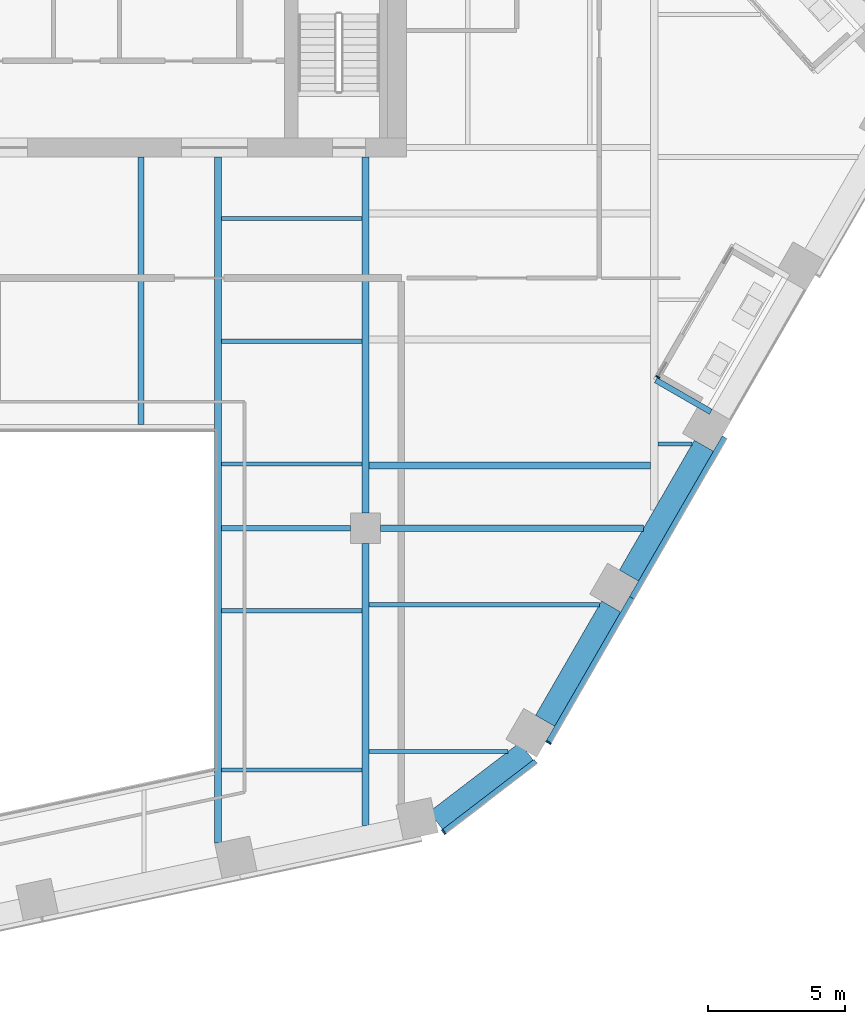
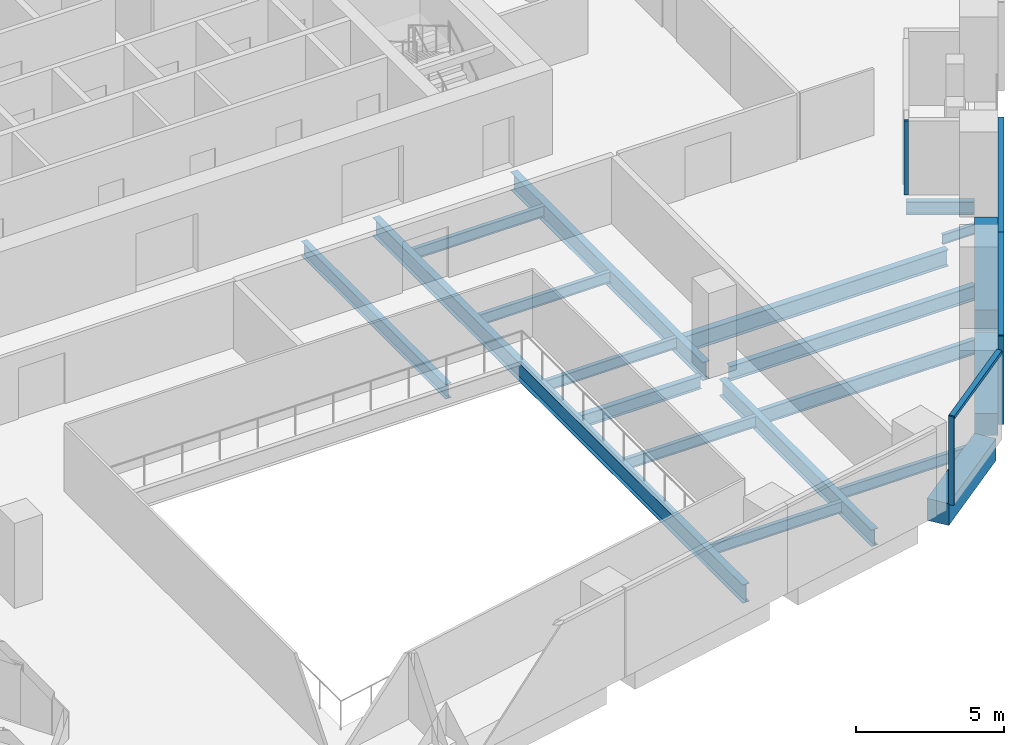
# One storey, part 6 of 26: 19 beams, 6 members, 3 elements without a shape of their own.
"""IFC4 building model written with IfcOpenShell, lengths in metres."""

from ifc_helpers import new_model, si_unit, direction, frame, origin, origin_2d, place, context, subcontext, project, spatial, rectangle, i_section, extrude, material, layer, layer_set, material_profile, profile_set, type_object, element, aggregate, save


model = new_model("IFC4")

# Units and contexts
model_context = context("Model", 3, precision=1e-05, world=origin(), true_north=direction((0.0, 1.0)))
body_context = subcontext(model_context, "Body", "Model", "MODEL_VIEW")
ifc_project = project(units=[si_unit("LENGTHUNIT", "METRE"), si_unit("AREAUNIT", "SQUARE_METRE"), si_unit("VOLUMEUNIT", "CUBIC_METRE"), si_unit("PLANEANGLEUNIT", "RADIAN"), si_unit("MASSUNIT", "GRAM", prefix="KILO")], contexts=[model_context])

# Site, building, storey
site_placement = place(None, origin())
site = spatial("IfcSite", under=ifc_project, at=site_placement, CompositionType="ELEMENT")
building_placement = place(site_placement, origin())
building = spatial("IfcBuilding", under=site, at=building_placement, Name="Isthmus Gate Tower", CompositionType="ELEMENT")
storey_placement = place(building_placement, frame((0.0, 0.0, 189.050048828125)))
storey = spatial("IfcBuildingStorey", under=building, at=storey_placement, Name="L47", CompositionType="ELEMENT", Elevation=189.050048828125)

# Curtain wall, member
ifc_material_1 = material(Name="Aluminium, pale champagne anodised", Category="aluminium")
ifc_layer_1 = layer(ifc_material_1, 0.199951171875)
ifc_layer_set_1 = layer_set([ifc_layer_1], Name="CW-1 UNITISED CURTAIN WALL 200 DEEP")
curtain_wall_type_1 = type_object("IfcCurtainWallType", Name="CW-1 UNITISED CURTAIN WALL 200 DEEP", PredefinedType="NOTDEFINED", material=ifc_layer_set_1)
curtain_wall_1_placement = place(storey_placement, origin())
curtain_wall_1 = element("IfcCurtainWall", 1, at=curtain_wall_1_placement, inside=storey, type_object=curtain_wall_type_1, Name="CW-1 S-SE L47", PredefinedType="NOTDEFINED")
ifc_material_2 = material(Name="Aluminium, pale champagne anodised", Category="aluminium")
ifc_material_profile_1 = material_profile(ifc_material_2, rectangle(XDim=0.06005859375, YDim=0.199951171875, at=origin_2d()), Name="60x200")
ifc_profile_set_1 = profile_set([ifc_material_profile_1], Name="Aluminium, pale champagne anodised")
member_type_1 = type_object("IfcMemberType", Name="CW-1 MULLION 60 X 200", PredefinedType="MULLION", material=ifc_profile_set_1)
member_1_placement = place(storey_placement, frame((16.346435546875, -24.5419921875, 0.0), z_axis=(0.0, 0.0, 1.0), x_axis=(0.794188594387, 0.607671355706, 0.0)))
member_1 = element("IfcMember", 2, at=member_1_placement, type_object=member_type_1, Name="CW-1 mullion", PredefinedType="MULLION", context=body_context, shape_type="SweptSolid", body=[
    extrude(rectangle(XDim=0.06005859375, YDim=0.199951171875, at=origin_2d()), origin(), (0.0, 0.0, 1.0), 3.64990234375),
])

curtain_wall_2_placement = place(storey_placement, origin())
curtain_wall_2 = element("IfcCurtainWall", 3, at=curtain_wall_2_placement, inside=storey, type_object=curtain_wall_type_1, Name="CW-1 SE L47", PredefinedType="NOTDEFINED")
member_2_placement = place(storey_placement, frame((20.156005859375, -21.288818359375, 0.0), z_axis=(0.0, 0.0, 1.0), x_axis=(0.5, 0.866025403784, 0.0)))
member_2 = element("IfcMember", 4, at=member_2_placement, type_object=member_type_1, Name="CW-1 mullion", PredefinedType="MULLION", context=body_context, shape_type="SweptSolid", body=[
    extrude(rectangle(XDim=0.06005859375, YDim=0.199951171875, at=origin_2d()), origin(), (0.0, 0.0, 1.0), 3.64990234375),
])

# Member
ifc_material_3 = material(Name="Aluminium, pale champagne anodised", Category="aluminium")
ifc_material_profile_2 = material_profile(ifc_material_3, rectangle(XDim=0.199951171875, YDim=0.139892578125, at=origin_2d()), Name="200x140")
ifc_profile_set_2 = profile_set([ifc_material_profile_2], Name="Aluminium, pale champagne anodised")
member_type_2 = type_object("IfcMemberType", Name="CW-1 TRANSOM 200 X 140", PredefinedType="USERDEFINED", material=ifc_profile_set_2)
member_3_placement = place(storey_placement, frame((16.3701171875, -24.52392578125, 3.579833984375), z_axis=(0.79419705805, 0.607660294066, 0.0), x_axis=(-0.607660294066, 0.79419705805, 0.0)))
member_3 = element("IfcMember", 5, at=member_3_placement, type_object=member_type_2, Name="CW-1 transom", ObjectType="TRANSOM", PredefinedType="USERDEFINED", context=body_context, shape_type="SweptSolid", body=[
    extrude(rectangle(XDim=0.199951171875, YDim=0.139892578125, at=origin_2d()), origin(), (0.0, 0.0, 1.0), 4.181640625),
])

aggregate(curtain_wall_1, [member_1, member_3])

member_4_placement = place(storey_placement, frame((20.171142578125, -21.2626953125, 3.579833984375), z_axis=(0.499990697366, 0.866030774596, 0.0), x_axis=(-0.866030774596, 0.499990697366, 0.0)))
member_4 = element("IfcMember", 6, at=member_4_placement, type_object=member_type_2, Name="CW-1 transom", ObjectType="TRANSOM", PredefinedType="USERDEFINED", context=body_context, shape_type="SweptSolid", body=[
    extrude(rectangle(XDim=0.199951171875, YDim=0.139892578125, at=origin_2d()), origin(), (0.0, 0.0, 1.0), 6.0400390625),
])

member_5_placement = place(storey_placement, frame((23.191162109375, -16.03173828125, 3.579833984375), z_axis=(0.499997969693, 0.866026575979, 0.0), x_axis=(-0.866026575979, 0.499997969693, 0.0)))
member_5 = element("IfcMember", 7, at=member_5_placement, type_object=member_type_2, Name="CW-1 transom", ObjectType="TRANSOM", PredefinedType="USERDEFINED", context=body_context, shape_type="SweptSolid", body=[
    extrude(rectangle(XDim=0.199951171875, YDim=0.139892578125, at=origin_2d()), origin(), (0.0, 0.0, 1.0), 6.75),
])

aggregate(curtain_wall_2, [member_2, member_4, member_5])

# Curtain wall, member
ifc_material_4 = material(Name="Aluminium, pale champagne anodised", Category="aluminium")
ifc_layer_2 = layer(ifc_material_4, 0.14990234375)
ifc_layer_set_2 = layer_set([ifc_layer_2], Name="CW-6 LOGGIA BACK WALL GLAZING 150 DEEP")
curtain_wall_type_2 = type_object("IfcCurtainWallType", Name="CW-6 LOGGIA BACK WALL GLAZING 150 DEEP", PredefinedType="NOTDEFINED", material=ifc_layer_set_2)
curtain_wall_3_placement = place(storey_placement, origin())
curtain_wall_3 = element("IfcCurtainWall", 8, at=curtain_wall_3_placement, inside=storey, type_object=curtain_wall_type_2, Name="CW-6 SE L47", PredefinedType="NOTDEFINED")
ifc_material_5 = material(Name="Aluminium, pale champagne anodised", Category="aluminium")
ifc_material_profile_3 = material_profile(ifc_material_5, rectangle(XDim=0.06005859375, YDim=0.14990234375, at=origin_2d()), Name="60x150")
ifc_profile_set_3 = profile_set([ifc_material_profile_3], Name="Aluminium, pale champagne anodised")
member_type_3 = type_object("IfcMemberType", Name="CW-6 MULLION 60 X 150", PredefinedType="MULLION", material=ifc_profile_set_3)
member_6_placement = place(storey_placement, frame((24.134765625, -7.9970703125, 0.0), z_axis=(0.0, 0.0, 1.0), x_axis=(0.5, 0.866025403784, 0.0)))
member_6 = element("IfcMember", 9, at=member_6_placement, type_object=member_type_3, Name="CW-6 mullion", PredefinedType="MULLION", context=body_context, shape_type="SweptSolid", body=[
    extrude(rectangle(XDim=0.06005859375, YDim=0.14990234375, at=origin_2d()), origin(), (0.0, 0.0, 1.0), 3.050048828125),
])
aggregate(curtain_wall_3, [member_6])

# Beams
ifc_material_6 = material(Name="Concrete f'c 60 MPa", Category="concrete")
ifc_material_profile_4 = material_profile(ifc_material_6, rectangle(XDim=0.800048828125, YDim=0.89990234375, at=origin_2d()), Name="RC 800X900")
ifc_profile_set_4 = profile_set([ifc_material_profile_4], Name="Concrete f'c 60 MPa")
beam_type_1 = type_object("IfcBeamType", Name="RC SPANDREL 800 X 900", PredefinedType="SPANDREL", material=ifc_profile_set_4)
beam_1_placement = place(storey_placement, frame((25.80810546875, -10.4990234375, -0.449951171875), z_axis=(-0.500002931134, -0.866023711487, 0.0), x_axis=(0.866023711487, -0.500002931134, 0.0)))
element("IfcBeam", 10, at=beam_1_placement, inside=storey, type_object=beam_type_1, Name="str-spandrel-L47-08", PredefinedType="SPANDREL", context=body_context, shape_type="SweptSolid", body=[
    extrude(rectangle(XDim=0.800048828125, YDim=0.89990234375, at=origin_2d()), origin(), (0.0, 0.0, 1.0), 5.4501953125),
])
beam_2_placement = place(storey_placement, frame((22.43310546875, -16.3447265625, -0.449951171875), z_axis=(-0.500017431331, -0.866015339567, 0.0), x_axis=(0.866015339567, -0.500017431331, 0.0)))
element("IfcBeam", 11, at=beam_2_placement, inside=storey, type_object=beam_type_1, Name="str-spandrel-L47-09", PredefinedType="SPANDREL", context=body_context, shape_type="SweptSolid", body=[
    extrude(rectangle(XDim=0.800048828125, YDim=0.89990234375, at=origin_2d()), origin(), (0.0, 0.0, 1.0), 4.800048828125),
])
beam_3_placement = place(storey_placement, frame((19.354248046875, -21.611083984375, -0.449951171875), z_axis=(-0.794205941875, -0.607648682949, 0.0), x_axis=(0.607648682949, -0.794205941875, 0.0)))
element("IfcBeam", 12, at=beam_3_placement, inside=storey, type_object=beam_type_1, Name="str-spandrel-L47-10", PredefinedType="SPANDREL", context=body_context, shape_type="SweptSolid", body=[
    extrude(rectangle(XDim=0.800048828125, YDim=0.89990234375, at=origin_2d()), origin(), (0.0, 0.0, 1.0), 4.15234375),
])
ifc_material_7 = material(Name="Structural steel ASTM A992 Gr 50", Category="steel")
ifc_material_profile_5 = material_profile(ifc_material_7, i_section(OverallWidth=0.1396484375, OverallDepth=0.4033203125, WebThickness=0.00634765625, FlangeThickness=0.010986328125, at=origin_2d()), Name="W16X31")
ifc_profile_set_5 = profile_set([ifc_material_profile_5], Name="Structural steel ASTM A992 Gr 50")
beam_type_2 = type_object("IfcBeamType", Name="STEEL FLOOR BEAM W16X31", PredefinedType="JOIST", material=ifc_profile_set_5)
beam_4_placement = place(storey_placement, frame((24.13330078125, -10.436279296875, -0.3515625), z_axis=(1.0, 0.0, 0.0), x_axis=(0.0, 1.0, 0.0)))
element("IfcBeam", 13, at=beam_4_placement, inside=storey, type_object=beam_type_2, Name="str-beam-L47-18-00", PredefinedType="JOIST", context=body_context, shape_type="SweptSolid", body=[
    extrude(i_section(OverallWidth=0.1396484375, OverallDepth=0.4033203125, WebThickness=0.00634765625, FlangeThickness=0.010986328125, at=origin_2d()), origin(), (0.0, 0.0, 1.0), 1.2490234375),
])
ifc_material_8 = material(Name="Structural steel ASTM A992 Gr 50", Category="steel")
ifc_material_profile_6 = material_profile(ifc_material_8, i_section(OverallWidth=0.15234375, OverallDepth=0.45068359375, WebThickness=0.0078125, FlangeThickness=0.010986328125, at=origin_2d()), Name="W18X35")
ifc_profile_set_6 = profile_set([ifc_material_profile_6], Name="Structural steel ASTM A992 Gr 50")
beam_type_3 = type_object("IfcBeamType", Name="STEEL FLOOR BEAM W18X35", PredefinedType="JOIST", material=ifc_profile_set_6)
for number, where, z_axis, x_axis, name in (
    (14, (8.263427734375, -22.291015625, -0.37548828125), (1.0, 0.0, 0.0), (0.0, 1.0, 0.0), "str-beam-L47-12-00"),
    (15, (8.263427734375, -16.500244140625, -0.37548828125), (1.0, 0.0, 0.0), (0.0, 1.0, 0.0), "str-beam-L47-12-01"),
):
    element("IfcBeam", number, at=place(storey_placement, frame(where, z_axis=z_axis, x_axis=x_axis)), inside=storey, type_object=beam_type_3, Name=name, PredefinedType="JOIST", context=body_context, shape_type="SweptSolid", body=[
        extrude(i_section(OverallWidth=0.15234375, OverallDepth=0.45068359375, WebThickness=0.0078125, FlangeThickness=0.010986328125, at=origin_2d()), origin(), (0.0, 0.0, 1.0), 5.109619140625),
    ])
for number, where, z_axis, x_axis, name in (
    (16, (8.263427734375, -11.16259765625, -0.37548828125), (1.0, 0.0, 0.0), (0.0, 1.0, 0.0), "str-beam-L47-13-00"),
    (17, (8.263427734375, -6.697509765625, -0.37548828125), (1.0, 0.0, 0.0), (0.0, 1.0, 0.0), "str-beam-L47-13-01"),
    (18, (8.263427734375, -2.232421875, -0.37548828125), (1.0, 0.0, 0.0), (0.0, 1.0, 0.0), "str-beam-L47-13-02"),
):
    element("IfcBeam", number, at=place(storey_placement, frame(where, z_axis=z_axis, x_axis=x_axis)), inside=storey, type_object=beam_type_3, Name=name, PredefinedType="JOIST", context=body_context, shape_type="SweptSolid", body=[
        extrude(i_section(OverallWidth=0.15234375, OverallDepth=0.45068359375, WebThickness=0.0078125, FlangeThickness=0.010986328125, at=origin_2d()), origin(), (0.0, 0.0, 1.0), 5.104736328125),
    ])
beam_5_placement = place(storey_placement, frame((13.626953125, -21.61767578125, -0.37548828125), z_axis=(1.0, 0.0, 0.0), x_axis=(0.0, 1.0, 0.0)))
element("IfcBeam", 19, at=beam_5_placement, inside=storey, type_object=beam_type_3, Name="str-beam-L47-14-00", PredefinedType="JOIST", context=body_context, shape_type="SweptSolid", body=[
    extrude(i_section(OverallWidth=0.15234375, OverallDepth=0.45068359375, WebThickness=0.0078125, FlangeThickness=0.010986328125, at=origin_2d()), origin(), (0.0, 0.0, 1.0), 5.060302734375),
])
ifc_material_9 = material(Name="Structural steel ASTM A992 Gr 50", Category="steel")
ifc_material_profile_7 = material_profile(ifc_material_9, i_section(OverallWidth=0.177734375, OverallDepth=0.60009765625, WebThickness=0.009521484375, FlangeThickness=0.0126953125, at=origin_2d()), Name="W24X55")
ifc_profile_set_7 = profile_set([ifc_material_profile_7], Name="Structural steel ASTM A992 Gr 50")
beam_type_4 = type_object("IfcBeamType", Name="STEEL FLOOR BEAM W24X55", PredefinedType="JOIST", material=ifc_profile_set_7)
beam_6_placement = place(storey_placement, frame((13.626953125, -16.2822265625, -0.4501953125), z_axis=(1.0, 0.0, 0.0), x_axis=(0.0, 1.0, 0.0)))
element("IfcBeam", 20, at=beam_6_placement, inside=storey, type_object=beam_type_4, Name="str-beam-L47-14-01", PredefinedType="JOIST", context=body_context, shape_type="SweptSolid", body=[
    extrude(i_section(OverallWidth=0.177734375, OverallDepth=0.60009765625, WebThickness=0.009521484375, FlangeThickness=0.0126953125, at=origin_2d()), origin(), (0.0, 0.0, 1.0), 8.38037109375),
])
ifc_material_10 = material(Name="Structural steel ASTM A992 Gr 50", Category="steel")
ifc_material_profile_8 = material_profile(ifc_material_10, i_section(OverallWidth=0.228515625, OverallDepth=0.603271484375, WebThickness=0.010986328125, FlangeThickness=0.014404296875, at=origin_2d()), Name="W24X68")
ifc_profile_set_8 = profile_set([ifc_material_profile_8], Name="Structural steel ASTM A992 Gr 50")
beam_type_5 = type_object("IfcBeamType", Name="STEEL FLOOR BEAM W24X68", PredefinedType="JOIST", material=ifc_profile_set_8)
beam_7_placement = place(storey_placement, frame((5.333251953125, -9.7333984375, -0.45166015625), z_axis=(0.0, 1.0, 0.0), x_axis=(-1.0, 0.0, 0.0)))
element("IfcBeam", 21, at=beam_7_placement, inside=storey, type_object=beam_type_5, Name="str-beam-L47-09-02", PredefinedType="JOIST", context=body_context, shape_type="SweptSolid", body=[
    extrude(i_section(OverallWidth=0.228515625, OverallDepth=0.603271484375, WebThickness=0.010986328125, FlangeThickness=0.014404296875, at=origin_2d()), origin(), (0.0, 0.0, 1.0), 9.7333984375),
])
ifc_material_11 = material(Name="Structural steel ASTM A992 Gr 50", Category="steel")
ifc_material_profile_9 = material_profile(ifc_material_11, i_section(OverallWidth=0.25390625, OverallDepth=0.679443359375, WebThickness=0.010986328125, FlangeThickness=0.015869140625, at=origin_2d()), Name="W27X84")
ifc_profile_set_9 = profile_set([ifc_material_profile_9], Name="Structural steel ASTM A992 Gr 50")
beam_type_6 = type_object("IfcBeamType", Name="STEEL FLOOR BEAM W27X84", PredefinedType="JOIST", material=ifc_profile_set_9)
beam_8_placement = place(storey_placement, frame((13.6318359375, -11.210693359375, -0.48974609375), z_axis=(1.0, 0.0, 0.0), x_axis=(0.0, 1.0, 0.0)))
element("IfcBeam", 22, at=beam_8_placement, inside=storey, type_object=beam_type_6, Name="str-beam-L47-15-00", PredefinedType="JOIST", context=body_context, shape_type="SweptSolid", body=[
    extrude(i_section(OverallWidth=0.25390625, OverallDepth=0.679443359375, WebThickness=0.010986328125, FlangeThickness=0.015869140625, at=origin_2d()), origin(), (0.0, 0.0, 1.0), 10.23486328125),
])
ifc_material_12 = material(Name="Structural steel ASTM A992 Gr 50", Category="steel")
ifc_material_profile_10 = material_profile(ifc_material_12, i_section(OverallWidth=0.20947265625, OverallDepth=0.533447265625, WebThickness=0.009521484375, FlangeThickness=0.015869140625, at=origin_2d()), Name="W21X62")
ifc_profile_set_10 = profile_set([ifc_material_profile_10], Name="Structural steel ASTM A992 Gr 50")
beam_type_7 = type_object("IfcBeamType", Name="STEEL GIRDER W21X62", PredefinedType="BEAM", material=ifc_profile_set_10)
beam_9_placement = place(storey_placement, frame((8.263427734375, -13.5, -0.416748046875), z_axis=(1.0, 0.0, 0.0), x_axis=(0.0, 1.0, 0.0)))
element("IfcBeam", 23, at=beam_9_placement, inside=storey, type_object=beam_type_7, Name="str-girder-L47-03", PredefinedType="BEAM", context=body_context, shape_type="SweptSolid", body=[
    extrude(i_section(OverallWidth=0.20947265625, OverallDepth=0.533447265625, WebThickness=0.009521484375, FlangeThickness=0.015869140625, at=origin_2d()), origin(), (0.0, 0.0, 1.0), 4.6865234375),
])
ifc_material_13 = material(Name="Structural steel ASTM A992 Gr 50", Category="steel")
ifc_material_profile_11 = material_profile(ifc_material_13, i_section(OverallWidth=0.228515625, OverallDepth=0.6064453125, WebThickness=0.010986328125, FlangeThickness=0.017578125, at=origin_2d()), Name="W24X76")
ifc_profile_set_11 = profile_set([ifc_material_profile_11], Name="Structural steel ASTM A992 Gr 50")
beam_type_8 = type_object("IfcBeamType", Name="STEEL GIRDER W24X76", PredefinedType="BEAM", material=ifc_profile_set_11)
beam_10_placement = place(storey_placement, frame((14.050048828125, -13.5, -0.453369140625), z_axis=(1.0, 0.0, 0.0), x_axis=(0.0, 1.0, 0.0)))
element("IfcBeam", 24, at=beam_10_placement, inside=storey, type_object=beam_type_8, Name="str-girder-L47-04", PredefinedType="BEAM", context=body_context, shape_type="SweptSolid", body=[
    extrude(i_section(OverallWidth=0.228515625, OverallDepth=0.6064453125, WebThickness=0.010986328125, FlangeThickness=0.017578125, at=origin_2d()), origin(), (0.0, 0.0, 1.0), 9.5634765625),
])
ifc_material_14 = material(Name="Structural steel ASTM A992 Gr 50", Category="steel")
ifc_material_profile_12 = material_profile(ifc_material_14, i_section(OverallWidth=0.25390625, OverallDepth=0.679443359375, WebThickness=0.010986328125, FlangeThickness=0.015869140625, at=origin_2d()), Name="W27X84")
ifc_profile_set_12 = profile_set([ifc_material_profile_12], Name="Structural steel ASTM A992 Gr 50")
beam_type_9 = type_object("IfcBeamType", Name="STEEL GIRDER W27X84", PredefinedType="BEAM", material=ifc_profile_set_12)
beam_11_placement = place(storey_placement, frame((13.5, -24.3125, -0.48974609375), z_axis=(0.0, 1.0, 0.0), x_axis=(-1.0, 0.0, 0.0)))
element("IfcBeam", 25, at=beam_11_placement, inside=storey, type_object=beam_type_9, Name="str-girder-L47-08", PredefinedType="BEAM", context=body_context, shape_type="SweptSolid", body=[
    extrude(i_section(OverallWidth=0.25390625, OverallDepth=0.679443359375, WebThickness=0.010986328125, FlangeThickness=0.015869140625, at=origin_2d()), origin(), (0.0, 0.0, 1.0), 10.262451171875),
])
ifc_material_15 = material(Name="Structural steel ASTM A992 Gr 50", Category="steel")
ifc_material_profile_13 = material_profile(ifc_material_15, i_section(OverallWidth=0.263427734375, OverallDepth=0.749267578125, WebThickness=0.0126953125, FlangeThickness=0.015869140625, at=origin_2d()), Name="W30X90")
ifc_profile_set_13 = profile_set([ifc_material_profile_13], Name="Structural steel ASTM A992 Gr 50")
beam_type_10 = type_object("IfcBeamType", Name="STEEL GIRDER W30X90", PredefinedType="BEAM", material=ifc_profile_set_13)
beam_12_placement = place(storey_placement, frame((13.5, -12.949951171875, -0.524658203125), z_axis=(0.0, 1.0, 0.0), x_axis=(-1.0, 0.0, 0.0)))
element("IfcBeam", 26, at=beam_12_placement, inside=storey, type_object=beam_type_10, Name="str-girder-L47-09", PredefinedType="BEAM", context=body_context, shape_type="SweptSolid", body=[
    extrude(i_section(OverallWidth=0.263427734375, OverallDepth=0.749267578125, WebThickness=0.0126953125, FlangeThickness=0.015869140625, at=origin_2d()), origin(), (0.0, 0.0, 1.0), 12.949951171875),
])
ifc_material_16 = material(Name="Structural steel ASTM A992 Gr 50", Category="steel")
ifc_material_profile_14 = material_profile(ifc_material_16, i_section(OverallWidth=0.20947265625, OverallDepth=0.533447265625, WebThickness=0.009521484375, FlangeThickness=0.015869140625, at=origin_2d()), Name="W21X62")
ifc_profile_set_14 = profile_set([ifc_material_profile_14], Name="Structural steel ASTM A992 Gr 50")
beam_type_11 = type_object("IfcBeamType", Name="STEEL TRIMMER W21X62", PredefinedType="BEAM", material=ifc_profile_set_14)
beam_13_placement = place(storey_placement, frame((26.059326171875, -9.263916015625, -0.416748046875), z_axis=(-0.866017993231, 0.500012835235, 0.0), x_axis=(-0.500012835235, -0.866017993231, 0.0)))
element("IfcBeam", 27, at=beam_13_placement, inside=storey, type_object=beam_type_11, Name="str-loggiatrim-L47-04-A", PredefinedType="BEAM", context=body_context, shape_type="SweptSolid", body=[
    extrude(i_section(OverallWidth=0.20947265625, OverallDepth=0.533447265625, WebThickness=0.009521484375, FlangeThickness=0.015869140625, at=origin_2d()), origin(), (0.0, 0.0, 1.0), 2.3046875),
])
ifc_material_17 = material(Name="Structural steel ASTM A992 Gr 50", Category="steel")
ifc_material_profile_15 = material_profile(ifc_material_17, i_section(OverallWidth=0.263427734375, OverallDepth=0.749267578125, WebThickness=0.0126953125, FlangeThickness=0.015869140625, at=origin_2d()), Name="W30X90")
ifc_profile_set_15 = profile_set([ifc_material_profile_15], Name="Structural steel ASTM A992 Gr 50")
beam_type_12 = type_object("IfcBeamType", Name="STEEL TRIMMER W30X90", PredefinedType="BEAM", material=ifc_profile_set_15)
beam_14_placement = place(storey_placement, frame((8.1318359375, -24.9423828125, -0.524658203125), z_axis=(0.0, 1.0, 0.0), x_axis=(-1.0, 0.0, 0.0)))
element("IfcBeam", 28, at=beam_14_placement, inside=storey, type_object=beam_type_12, Name="str-trimmer-L47-01", PredefinedType="BEAM", context=body_context, shape_type="SweptSolid", body=[
    extrude(i_section(OverallWidth=0.263427734375, OverallDepth=0.749267578125, WebThickness=0.0126953125, FlangeThickness=0.015869140625, at=origin_2d()), origin(), (0.0, 0.0, 1.0), 24.9423828125),
])

save(model, "model.ifc")
